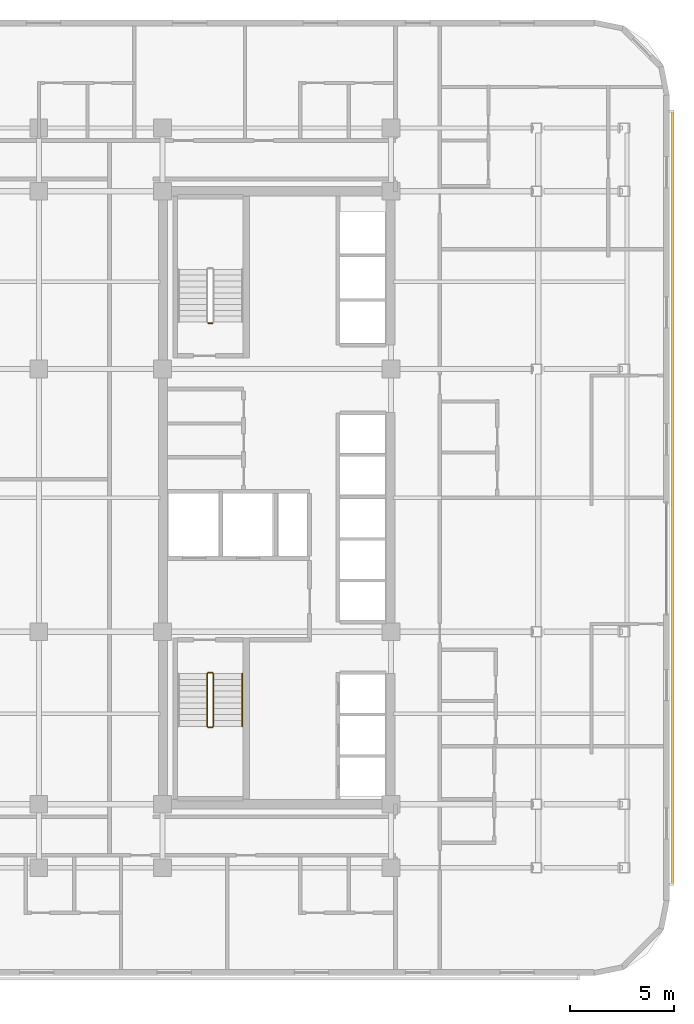
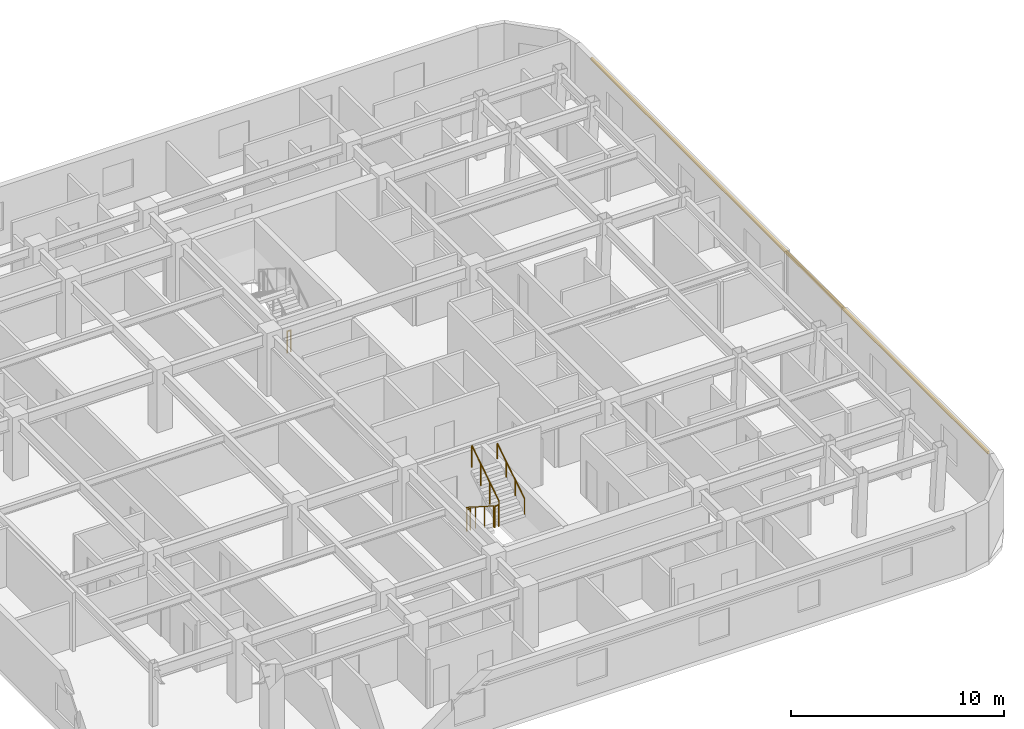
# One storey, part 14 of 15: 6 railings, 1 shading device.
"""IFC4 building model written with IfcOpenShell, lengths in metres."""

from ifc_helpers import new_model, si_unit, direction, frame, origin, origin_2d, place, context, subcontext, project, spatial, rectangle, circle, extrude, material, material_profile, profile_set, type_object, element, save


model = new_model("IFC4")

# Units and contexts
model_context = context("Model", 3, precision=1e-05, world=origin(), true_north=direction((0.0, 1.0)))
body_context = subcontext(model_context, "Body", "Model", "MODEL_VIEW")
ifc_project = project(units=[si_unit("LENGTHUNIT", "METRE"), si_unit("AREAUNIT", "SQUARE_METRE"), si_unit("VOLUMEUNIT", "CUBIC_METRE"), si_unit("PLANEANGLEUNIT", "RADIAN"), si_unit("MASSUNIT", "GRAM", prefix="KILO")], contexts=[model_context])

# Site, building, storey
site_placement = place(None, origin())
site = spatial("IfcSite", under=ifc_project, at=site_placement, CompositionType="ELEMENT")
building_placement = place(site_placement, origin())
building = spatial("IfcBuilding", under=site, at=building_placement, Name="Ochreholt Gables", CompositionType="ELEMENT")
storey_placement = place(building_placement, frame((0.0, 0.0, 64.199951171875)))
storey = spatial("IfcBuildingStorey", under=building, at=storey_placement, Name="L16", CompositionType="ELEMENT", Elevation=64.199951171875)

# Railings
ifc_material_1 = material(Name="Painted Steel Stair Guardrail", Category="steel")
railing_type_1 = type_object("IfcRailingType", Name="RL-ST-GUARD", PredefinedType="GUARDRAIL", material=ifc_material_1)
railing_1_placement = place(storey_placement, frame((26.35009765625, 15.5400390625, 0.179931640625)))
element("IfcRailing", 1, at=railing_1_placement, inside=storey, type_object=railing_type_1, Name="L16 ST-1 stair guard 1", PredefinedType="GUARDRAIL", context=body_context, shape_type="SweptSolid", body=[
    extrude(circle(Radius=0.02392578125, at=origin_2d()), frame((0.0, 0.0, 1.22607421875), z_axis=(0.0, -0.842912820907, 0.538050161556), x_axis=(1.0, 0.0, 0.0)), (0.0, 0.0, 1.0), 3.010986328125),
    extrude(circle(Radius=0.02099609375, at=origin_2d()), origin(), (0.0, 0.0, 1.0), 1.201904296875),
    extrude(circle(Radius=0.02099609375, at=origin_2d()), frame((0.0, -0.845947265625, 0.5400390625)), (0.0, 0.0, 1.0), 1.201904296875),
    extrude(circle(Radius=0.02099609375, at=origin_2d()), frame((0.0, -1.692138671875, 1.080078125)), (0.0, 0.0, 1.0), 1.201904296875),
    extrude(circle(Radius=0.02099609375, at=origin_2d()), frame((0.0, -2.5380859375, 1.6201171875)), (0.0, 0.0, 1.0), 1.201904296875),
])
railing_2_placement = place(storey_placement, frame((26.39990234375, 12.951904296875, 1.800048828125)))
element("IfcRailing", 2, at=railing_2_placement, inside=storey, type_object=railing_type_1, Name="L16 ST-1 stair guard 2", PredefinedType="GUARDRAIL", context=body_context, shape_type="SweptSolid", body=[
    extrude(circle(Radius=0.02392578125, at=origin_2d()), frame((0.0, 0.0, 1.22607421875), z_axis=(1.0, 0.0, 0.0), x_axis=(0.0, 1.0, 0.0)), (0.0, 0.0, 1.0), 0.2001953125),
    extrude(circle(Radius=0.02099609375, at=origin_2d()), origin(), (0.0, 0.0, 1.0), 1.201904296875),
    extrude(circle(Radius=0.02099609375, at=origin_2d()), frame((0.2001953125, 0.0, 0.0)), (0.0, 0.0, 1.0), 1.201904296875),
])
railing_3_placement = place(storey_placement, frame((26.64990234375, 13.001953125, 1.97998046875)))
element("IfcRailing", 3, at=railing_3_placement, inside=storey, type_object=railing_type_1, Name="L16 ST-1 stair guard 3", PredefinedType="GUARDRAIL", context=body_context, shape_type="SweptSolid", body=[
    extrude(circle(Radius=0.02392578125, at=origin_2d()), frame((0.0, 0.0, 1.22607421875), z_axis=(0.0, 0.842912820907, 0.538050161556), x_axis=(-1.0, 0.0, 0.0)), (0.0, 0.0, 1.0), 3.010986328125),
    extrude(circle(Radius=0.02099609375, at=origin_2d()), origin(), (0.0, 0.0, 1.0), 1.201904296875),
    extrude(circle(Radius=0.02099609375, at=origin_2d()), frame((0.0, 0.845947265625, 0.5400390625)), (0.0, 0.0, 1.0), 1.201904296875),
    extrude(circle(Radius=0.02099609375, at=origin_2d()), frame((0.0, 1.692138671875, 1.080078125)), (0.0, 0.0, 1.0), 1.201904296875),
    extrude(circle(Radius=0.02099609375, at=origin_2d()), frame((0.0, 2.5380859375, 1.6201171875)), (0.0, 0.0, 1.0), 1.201904296875),
])
railing_4_placement = place(storey_placement, frame((26.39990234375, 15.590087890625, 0.0)))
element("IfcRailing", 4, at=railing_4_placement, inside=storey, type_object=railing_type_1, Name="L16 ST-1 stair guard 4", PredefinedType="GUARDRAIL", context=body_context, shape_type="SweptSolid", body=[
    extrude(circle(Radius=0.02392578125, at=origin_2d()), frame((0.0, 0.0, 1.22607421875), z_axis=(1.0, 0.0, 0.0), x_axis=(0.0, 1.0, 0.0)), (0.0, 0.0, 1.0), 0.2001953125),
    extrude(circle(Radius=0.02099609375, at=origin_2d()), origin(), (0.0, 0.0, 1.0), 1.201904296875),
    extrude(circle(Radius=0.02099609375, at=origin_2d()), frame((0.2001953125, 0.0, 0.0)), (0.0, 0.0, 1.0), 1.201904296875),
])
railing_5_placement = place(storey_placement, frame((26.60009765625, 32.409912109375, 0.0)))
element("IfcRailing", 5, at=railing_5_placement, inside=storey, type_object=railing_type_1, Name="L16 ST-2 stair guard 4", PredefinedType="GUARDRAIL", context=body_context, shape_type="SweptSolid", body=[
    extrude(circle(Radius=0.02392578125, at=origin_2d()), frame((0.0, 0.0, 1.22607421875), z_axis=(-1.0, 0.0, 0.0), x_axis=(0.0, -1.0, 0.0)), (0.0, 0.0, 1.0), 0.2001953125),
    extrude(circle(Radius=0.02099609375, at=origin_2d()), origin(), (0.0, 0.0, 1.0), 1.201904296875),
    extrude(circle(Radius=0.02099609375, at=origin_2d()), frame((-0.2001953125, 0.0, 0.0)), (0.0, 0.0, 1.0), 1.201904296875),
])
ifc_material_2 = material(Name="Brushed Stainless Steel Wall Handrail", Category="steel")
railing_type_2 = type_object("IfcRailingType", Name="RL-ST-HAND", PredefinedType="HANDRAIL", material=ifc_material_2)
railing_6_placement = place(storey_placement, frame((28.030029296875, 13.001953125, 1.97998046875)))
element("IfcRailing", 6, at=railing_6_placement, inside=storey, type_object=railing_type_2, Name="L16 ST-1 stair handrail 2", PredefinedType="HANDRAIL", context=body_context, shape_type="SweptSolid", body=[
    extrude(circle(Radius=0.02392578125, at=origin_2d()), frame((0.0, 0.0, 0.8759765625), z_axis=(0.0, 0.842912820907, 0.538050161556), x_axis=(-1.0, 0.0, 0.0)), (0.0, 0.0, 1.0), 3.010986328125),
    extrude(circle(Radius=0.02099609375, at=origin_2d()), origin(), (0.0, 0.0, 1.0), 0.851806640625),
    extrude(circle(Radius=0.02099609375, at=origin_2d()), frame((0.0, 0.845947265625, 0.5400390625)), (0.0, 0.0, 1.0), 0.851806640625),
    extrude(circle(Radius=0.02099609375, at=origin_2d()), frame((0.0, 1.692138671875, 1.080078125)), (0.0, 0.0, 1.0), 0.851806640625),
    extrude(circle(Radius=0.02099609375, at=origin_2d()), frame((0.0, 2.5380859375, 1.6201171875)), (0.0, 0.0, 1.0), 0.851806640625),
])

# Shading device
ifc_material_3 = material(Name="Warm Ochre Glazed Terracotta Baguette", Category="masonry")
ifc_material_profile = material_profile(ifc_material_3, rectangle(XDim=0.110107421875, YDim=0.14990234375, at=origin_2d()), Name="TCBAG110X150")
ifc_profile_set = profile_set([ifc_material_profile], Name="Warm Ochre Glazed Terracotta Baguette")
shading_device_type = type_object("IfcShadingDeviceType", Name="SHD-BAGUETTE", PredefinedType="USERDEFINED", material=ifc_profile_set)
shading_device_placement = place(storey_placement, frame((48.75, 5.39990234375, 2.840087890625), z_axis=(0.0, 1.0, 0.0), x_axis=(-1.0, 0.0, 0.0)))
element("IfcShadingDevice", 7, at=shading_device_placement, inside=storey, type_object=shading_device_type, Name="L16 Terracotta Baguette Screen E-1", ObjectType="BAGUETTE", PredefinedType="USERDEFINED", context=body_context, shape_type="SweptSolid", body=[
    extrude(rectangle(XDim=0.110107421875, YDim=0.14990234375, at=origin_2d()), origin(), (0.0, 0.0, 1.0), 37.2001953125),
])

save(model, "model.ifc")
